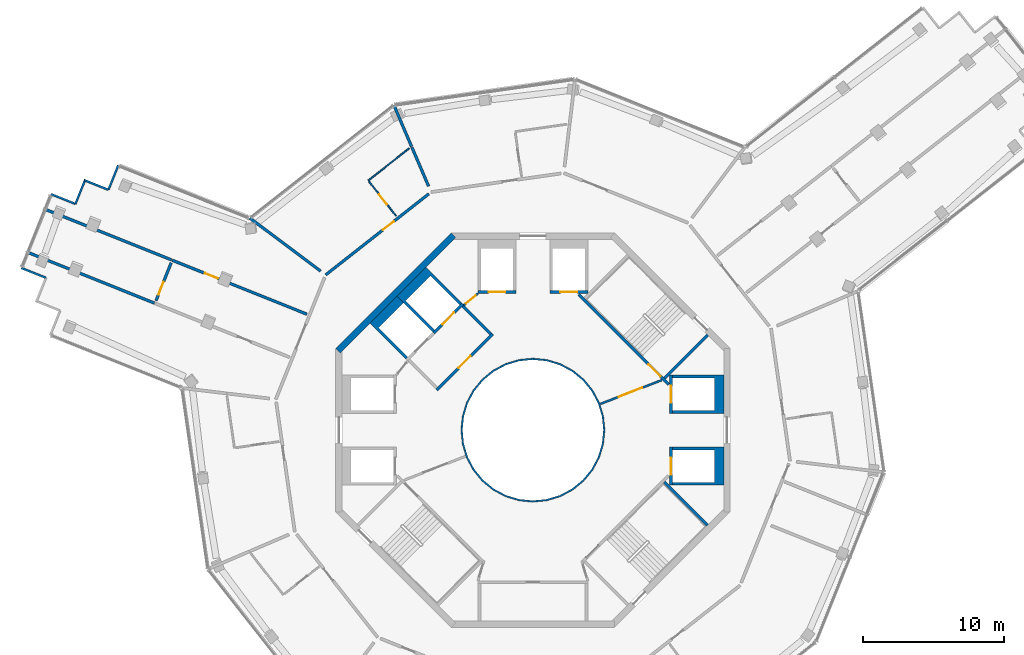
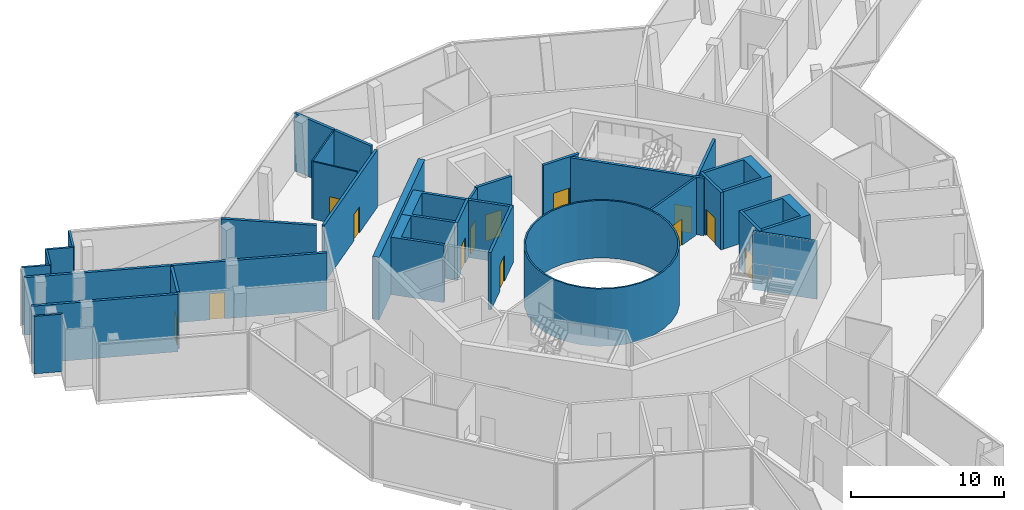
# One storey, part 12 of 19: 33 walls, 13 doors, 13 openings.
"""IFC4 building model written with IfcOpenShell, lengths in metres."""

from ifc_helpers import new_model, si_unit, direction, frame, frame_2d, origin, place, context, subcontext, project, spatial, polyline, rectangle, outline, extrude, material, layer, layer_set, type_object, element, fill, save


model = new_model("IFC4")

# Units and contexts
model_context = context("Model", 3, precision=1e-05, world=origin(), true_north=direction((0.0, 1.0)))
body_context = subcontext(model_context, "Body", "Model", "MODEL_VIEW")
ifc_project = project(units=[si_unit("LENGTHUNIT", "METRE"), si_unit("AREAUNIT", "SQUARE_METRE"), si_unit("VOLUMEUNIT", "CUBIC_METRE"), si_unit("PLANEANGLEUNIT", "RADIAN"), si_unit("MASSUNIT", "GRAM", prefix="KILO")], contexts=[model_context])

# Site, building, storey
site_placement = place(None, origin())
site = spatial("IfcSite", under=ifc_project, at=site_placement, CompositionType="ELEMENT")
building_placement = place(site_placement, origin())
building = spatial("IfcBuilding", under=site, at=building_placement, Name="Verdalira Terraces Hotel", CompositionType="ELEMENT")
storey_placement = place(building_placement, frame((0.0, 0.0, 310.0)))
storey = spatial("IfcBuildingStorey", under=building, at=storey_placement, Name="L77", CompositionType="ELEMENT", Elevation=310.0)

# Wall
ifc_material_1 = material(Name="Fire-resisting glass EI 180", Category="glass")
ifc_layer_1 = layer(ifc_material_1, 0.1201171875)
ifc_layer_set_1 = layer_set([ifc_layer_1], Name="Atrium fire screen 120 mm")
wall_type_1 = type_object("IfcWallType", Name="Atrium fire screen 120 mm", PredefinedType="SOLIDWALL", material=ifc_layer_set_1)
wall_1_placement = place(storey_placement, origin())
element("IfcWall", 1, at=wall_1_placement, inside=storey, type_object=wall_type_1, Name="Atrium fire screen", PredefinedType="SOLIDWALL", context=body_context, shape_type="SweptSolid", body=[
    extrude(outline(polyline([(5.021484, -0.998779), (4.730225, -1.959229), (4.25708, -2.844482), (3.620361, -3.620361), (2.844482, -4.25708), (1.959229, -4.730225), (0.998779, -5.021484), (0.0, -5.120117), (-0.998779, -5.021484), (-1.959229, -4.730225), (-2.844482, -4.25708), (-3.620361, -3.620361), (-4.25708, -2.844482), (-4.730225, -1.959229), (-5.021484, -0.998779), (-5.120117, 0.0), (-5.021484, 0.998779), (-4.730225, 1.959229), (-4.25708, 2.844482), (-3.620361, 3.620361), (-2.844482, 4.25708), (-1.959229, 4.730225), (-0.998779, 5.021484), (0.0, 5.120117), (0.998779, 5.021484), (1.959229, 4.730225), (2.844482, 4.25708), (3.620361, 3.620361), (4.25708, 2.844482), (4.730225, 1.959229), (5.021484, 0.998779), (5.120117, 0.0), (5.021484, -0.998779)]), holes=[polyline([(4.903809, 0.975586), (4.619385, 1.91333), (4.157227, 2.777832), (3.5354, 3.5354), (2.777832, 4.157227), (1.91333, 4.619385), (0.975586, 4.903809), (0.0, 5.0), (-0.975586, 4.903809), (-1.91333, 4.619385), (-2.777832, 4.157227), (-3.5354, 3.5354), (-4.157227, 2.777832), (-4.619385, 1.91333), (-4.903809, 0.975586), (-5.0, 0.0), (-4.903809, -0.975586), (-4.619385, -1.91333), (-4.157227, -2.777832), (-3.5354, -3.5354), (-2.777832, -4.157227), (-1.91333, -4.619385), (-0.975586, -4.903809), (0.0, -5.0), (0.975586, -4.903809), (1.91333, -4.619385), (2.777832, -4.157227), (3.5354, -3.5354), (4.157227, -2.777832), (4.619385, -1.91333), (4.903809, -0.975586), (5.0, 0.0), (4.903809, 0.975586)])]), origin(), (0.0, 0.0, 1.0), 4.600098),
])

# Wall, opening, door
ifc_material_2 = material(Name="Moisture-resistant gypsum board partition")
ifc_layer_2 = layer(ifc_material_2, 0.10009765625)
ifc_layer_set_2 = layer_set([ifc_layer_2], Name="Bathroom partition 100 mm")
wall_type_2 = type_object("IfcWallType", Name="Bathroom partition 100 mm", PredefinedType="PARTITIONING", material=ifc_layer_set_2)
wall_2_placement = place(storey_placement, frame((-11.628418, 17.644287, 0.0), z_axis=(0.0, 0.0, 1.0), x_axis=(0.617842421, -0.786301941, 0.0)))
wall_2 = element("IfcWall", 2, at=wall_2_placement, inside=storey, type_object=wall_type_2, Name="Bathroom partition", PredefinedType="PARTITIONING", context=body_context, shape_type="SweptSolid", body=[
    extrude(rectangle(XDim=3.099854, YDim=0.100098, at=frame_2d((1.549805, 0.0))), origin(), (0.0, 0.0, 1.0), 4.600098),
])
opening_1_placement = place(wall_2_placement, frame((1.149902, 0.0, 0.0)))
opening_1 = element("IfcOpeningElement", 3, at=opening_1_placement, cuts=wall_2, Name="Opening L77-126", PredefinedType="OPENING", context=body_context, shape_type="SweptSolid", body=[
    extrude(rectangle(XDim=0.899902, YDim=2.100098, at=frame_2d((0.449951, 1.050049))), frame((0.0, 0.060059, 0.0), z_axis=(0.0, -1.0, 0.0), x_axis=(1.0, 0.0, 0.0)), (0.0, 0.0, 1.0), 0.120117),
])
ifc_material_3 = material(Name="Timber door", Category="wood")
door_type_1 = type_object("IfcDoorType", Name="Bathroom door 900 x 2100", OperationType="NOTDEFINED", PredefinedType="DOOR", material=ifc_material_3)
door_1_placement = place(opening_1_placement, origin())
door_1 = element("IfcDoor", 4, at=door_1_placement, inside=storey, type_object=door_type_1, Name="Bathroom door 7711", OperationType="SINGLE_SWING_LEFT", OverallHeight=2.10009765625, OverallWidth=0.89990234375, PredefinedType="DOOR", context=body_context, shape_type="SweptSolid", body=[
    extrude(rectangle(XDim=0.899902, YDim=2.100098, at=frame_2d((0.449951, 1.050049))), frame((0.0, 0.024902, 0.0), z_axis=(0.0, -1.0, 0.0), x_axis=(1.0, 0.0, 0.0)), (0.0, 0.0, 1.0), 0.050049),
])
fill(opening_1, door_1)

# Walls
wall_3_placement = place(storey_placement, frame((-11.690186, 17.7229, 0.0), z_axis=(0.0, 0.0, 1.0), x_axis=(0.786279455, 0.617871038, 0.0)))
element("IfcWall", 5, at=wall_3_placement, inside=storey, type_object=wall_type_2, Name="Bathroom partition", PredefinedType="PARTITIONING", context=body_context, shape_type="SweptSolid", body=[
    extrude(rectangle(XDim=3.703857, YDim=0.100098, at=frame_2d((1.852051, 0.0))), origin(), (0.0, 0.0, 1.0), 4.600098),
])
ifc_material_4 = material(Name="Concrete C50", Category="concrete")
ifc_layer_3 = layer(ifc_material_4, 0.199951171875)
ifc_layer_set_3 = layer_set([ifc_layer_3], Name="Core RC wall 200 C50")
wall_type_3 = type_object("IfcWallType", Name="Core RC wall 200 C50", PredefinedType="SOLIDWALL", material=ifc_layer_set_3)
wall_4_placement = place(storey_placement, origin())
element("IfcWall", 6, at=wall_4_placement, inside=storey, type_object=wall_type_3, Name="L77 shaft wall E1", PredefinedType="SOLIDWALL", context=body_context, shape_type="SweptSolid", body=[
    extrude(outline(polyline([(13.550049, -3.899902), (9.899902, -3.899902), (9.899902, -3.699951), (12.899902, -3.699951), (12.899902, -1.399902), (9.899902, -1.399902), (9.899902, -1.199951), (13.550049, -1.199951), (13.550049, -3.899902)])), origin(), (0.0, 0.0, 1.0), 4.600098),
])

# Wall, opening, door
wall_5_placement = place(storey_placement, frame((9.800049, -1.199951, 0.0), z_axis=(0.0, 0.0, 1.0), x_axis=(0.0, -1.0, 0.0)))
wall_5 = element("IfcWall", 7, at=wall_5_placement, inside=storey, type_object=wall_type_3, Name="L77 shaft front wall E1", PredefinedType="SOLIDWALL", context=body_context, shape_type="SweptSolid", body=[
    extrude(rectangle(XDim=2.699951, YDim=0.199951, at=frame_2d((1.350098, 0.0))), origin(), (0.0, 0.0, 1.0), 4.600098),
])
opening_2_placement = place(wall_5_placement, frame((0.75, 0.0, 0.0)))
opening_2 = element("IfcOpeningElement", 8, at=opening_2_placement, cuts=wall_5, Name="Opening LD-L77-802", PredefinedType="OPENING", context=body_context, shape_type="SweptSolid", body=[
    extrude(rectangle(XDim=1.199951, YDim=2.100098, at=frame_2d((0.600098, 1.050049))), frame((0.0, 0.109863, 0.0), z_axis=(0.0, -1.0, 0.0), x_axis=(1.0, 0.0, 0.0)), (0.0, 0.0, 1.0), 0.219971),
])
ifc_material_5 = material(Name="Stainless steel", Category="steel")
door_type_2 = type_object("IfcDoorType", Name="Landing door 1200 x 2100", OperationType="NOTDEFINED", PredefinedType="DOOR", material=ifc_material_5)
door_2_placement = place(opening_2_placement, origin())
door_2 = element("IfcDoor", 9, at=door_2_placement, inside=storey, type_object=door_type_2, Name="Lift landing door HR1 L77", OperationType="DOUBLE_DOOR_SLIDING", OverallHeight=2.10009765625, OverallWidth=1.199951171875, PredefinedType="DOOR", context=body_context, shape_type="SweptSolid", body=[
    extrude(rectangle(XDim=1.199951, YDim=2.100098, at=frame_2d((0.600098, 1.050049))), frame((0.0, 0.024902, 0.0), z_axis=(0.0, -1.0, 0.0), x_axis=(1.0, 0.0, 0.0)), (0.0, 0.0, 1.0), 0.050049),
])
fill(opening_2, door_2)

# Wall
wall_6_placement = place(storey_placement, origin())
element("IfcWall", 10, at=wall_6_placement, inside=storey, type_object=wall_type_3, Name="L77 shaft wall E2", PredefinedType="SOLIDWALL", context=body_context, shape_type="SweptSolid", body=[
    extrude(outline(polyline([(13.550049, 3.899902), (13.550049, 1.199951), (9.899902, 1.199951), (9.899902, 1.399902), (12.899902, 1.399902), (12.899902, 3.699951), (9.899902, 3.699951), (9.899902, 3.899902), (13.550049, 3.899902)])), origin(), (0.0, 0.0, 1.0), 4.600098),
])

# Wall, opening, door
wall_7_placement = place(storey_placement, frame((9.800049, 1.199951, 0.0), z_axis=(0.0, 0.0, 1.0), x_axis=(0.0, 1.0, 0.0)))
wall_7 = element("IfcWall", 11, at=wall_7_placement, inside=storey, type_object=wall_type_3, Name="L77 shaft front wall E2", PredefinedType="SOLIDWALL", context=body_context, shape_type="SweptSolid", body=[
    extrude(rectangle(XDim=2.699951, YDim=0.199951, at=frame_2d((1.350098, 0.0))), origin(), (0.0, 0.0, 1.0), 4.600098),
])
opening_3_placement = place(wall_7_placement, frame((0.75, 0.0, 0.0)))
opening_3 = element("IfcOpeningElement", 12, at=opening_3_placement, cuts=wall_7, Name="Opening LD-L77-803", PredefinedType="OPENING", context=body_context, shape_type="SweptSolid", body=[
    extrude(rectangle(XDim=1.199951, YDim=2.100098, at=frame_2d((0.600098, 1.050049))), frame((0.0, 0.109863, 0.0), z_axis=(0.0, -1.0, 0.0), x_axis=(1.0, 0.0, 0.0)), (0.0, 0.0, 1.0), 0.219971),
])
door_3_placement = place(opening_3_placement, origin())
door_3 = element("IfcDoor", 13, at=door_3_placement, inside=storey, type_object=door_type_2, Name="Lift landing door HR2 L77", OperationType="DOUBLE_DOOR_SLIDING", OverallHeight=2.10009765625, OverallWidth=1.199951171875, PredefinedType="DOOR", context=body_context, shape_type="SweptSolid", body=[
    extrude(rectangle(XDim=1.199951, YDim=2.100098, at=frame_2d((0.600098, 1.050049))), frame((0.0, 0.024902, 0.0), z_axis=(0.0, -1.0, 0.0), x_axis=(1.0, 0.0, 0.0)), (0.0, 0.0, 1.0), 0.050049),
])
fill(opening_3, door_3)

wall_8_placement = place(storey_placement, frame((1.199951, 9.800049, 0.0), z_axis=(0.0, 0.0, 1.0), x_axis=(1.0, 0.0, 0.0)))
wall_8 = element("IfcWall", 14, at=wall_8_placement, inside=storey, type_object=wall_type_3, Name="L77 shaft front wall N1", PredefinedType="SOLIDWALL", context=body_context, shape_type="SweptSolid", body=[
    extrude(rectangle(XDim=2.699951, YDim=0.199951, at=frame_2d((1.350098, 0.0))), origin(), (0.0, 0.0, 1.0), 4.600098),
])
opening_4_placement = place(wall_8_placement, frame((0.75, 0.0, 0.0)))
opening_4 = element("IfcOpeningElement", 15, at=opening_4_placement, cuts=wall_8, Name="Opening LD-L77-804", PredefinedType="OPENING", context=body_context, shape_type="SweptSolid", body=[
    extrude(rectangle(XDim=1.199951, YDim=2.100098, at=frame_2d((0.600098, 1.050049))), frame((0.0, 0.109863, 0.0), z_axis=(0.0, -1.0, 0.0), x_axis=(1.0, 0.0, 0.0)), (0.0, 0.0, 1.0), 0.219971),
])
door_4_placement = place(opening_4_placement, origin())
door_4 = element("IfcDoor", 16, at=door_4_placement, inside=storey, type_object=door_type_2, Name="Lift landing door HR3 L77", OperationType="DOUBLE_DOOR_SLIDING", OverallHeight=2.10009765625, OverallWidth=1.199951171875, PredefinedType="DOOR", context=body_context, shape_type="SweptSolid", body=[
    extrude(rectangle(XDim=1.199951, YDim=2.100098, at=frame_2d((0.600098, 1.050049))), frame((0.0, 0.024902, 0.0), z_axis=(0.0, -1.0, 0.0), x_axis=(1.0, 0.0, 0.0)), (0.0, 0.0, 1.0), 0.050049),
])
fill(opening_4, door_4)

wall_9_placement = place(storey_placement, frame((-1.199951, 9.800049, 0.0), z_axis=(0.0, 0.0, 1.0), x_axis=(-1.0, 0.0, 0.0)))
wall_9 = element("IfcWall", 17, at=wall_9_placement, inside=storey, type_object=wall_type_3, Name="L77 shaft front wall N2", PredefinedType="SOLIDWALL", context=body_context, shape_type="SweptSolid", body=[
    extrude(rectangle(XDim=2.699951, YDim=0.199951, at=frame_2d((1.350098, 0.0))), origin(), (0.0, 0.0, 1.0), 4.600098),
])
opening_5_placement = place(wall_9_placement, frame((0.75, 0.0, 0.0)))
opening_5 = element("IfcOpeningElement", 18, at=opening_5_placement, cuts=wall_9, Name="Opening LD-L77-805", PredefinedType="OPENING", context=body_context, shape_type="SweptSolid", body=[
    extrude(rectangle(XDim=1.199951, YDim=2.100098, at=frame_2d((0.600098, 1.050049))), frame((0.0, 0.109863, 0.0), z_axis=(0.0, -1.0, 0.0), x_axis=(1.0, 0.0, 0.0)), (0.0, 0.0, 1.0), 0.219971),
])
door_5_placement = place(opening_5_placement, origin())
door_5 = element("IfcDoor", 19, at=door_5_placement, inside=storey, type_object=door_type_2, Name="Lift landing door HR4 L77", OperationType="DOUBLE_DOOR_SLIDING", OverallHeight=2.10009765625, OverallWidth=1.199951171875, PredefinedType="DOOR", context=body_context, shape_type="SweptSolid", body=[
    extrude(rectangle(XDim=1.199951, YDim=2.100098, at=frame_2d((0.600098, 1.050049))), frame((0.0, 0.024902, 0.0), z_axis=(0.0, -1.0, 0.0), x_axis=(1.0, 0.0, 0.0)), (0.0, 0.0, 1.0), 0.050049),
])
fill(opening_5, door_5)

# Wall
wall_10_placement = place(storey_placement, origin())
element("IfcWall", 20, at=wall_10_placement, inside=storey, type_object=wall_type_3, Name="L77 shaft wall F1", PredefinedType="SOLIDWALL", context=body_context, shape_type="SweptSolid", body=[
    extrude(outline(polyline([(-9.6521, 9.510498), (-7.601318, 11.561279), (-5.055908, 9.015625), (-5.197266, 8.874268), (-7.283203, 10.960205), (-9.051025, 9.192383), (-6.965088, 7.106445), (-7.106445, 6.965088), (-9.6521, 9.510498)])), origin(), (0.0, 0.0, 1.0), 4.600098),
])

# Wall, opening, door
wall_11_placement = place(storey_placement, frame((-4.985107, 8.944824, 0.0), z_axis=(0.0, 0.0, 1.0), x_axis=(-0.707106781, -0.707106781, 0.0)))
wall_11 = element("IfcWall", 21, at=wall_11_placement, inside=storey, type_object=wall_type_3, Name="L77 shaft front wall F1", PredefinedType="SOLIDWALL", context=body_context, shape_type="SweptSolid", body=[
    extrude(rectangle(XDim=2.899902, YDim=0.199951, at=frame_2d((1.449951, 0.0))), origin(), (0.0, 0.0, 1.0), 4.600098),
])
opening_6_placement = place(wall_11_placement, frame((0.850098, 0.0, 0.0)))
opening_6 = element("IfcOpeningElement", 22, at=opening_6_placement, cuts=wall_11, Name="Opening LD-L77-808", PredefinedType="OPENING", context=body_context, shape_type="SweptSolid", body=[
    extrude(rectangle(XDim=1.199951, YDim=2.100098, at=frame_2d((0.600098, 1.050049))), frame((0.0, 0.109863, 0.0), z_axis=(0.0, -1.0, 0.0), x_axis=(1.0, 0.0, 0.0)), (0.0, 0.0, 1.0), 0.219971),
])
door_6_placement = place(opening_6_placement, origin())
door_6 = element("IfcDoor", 23, at=door_6_placement, inside=storey, type_object=door_type_2, Name="Lift landing door LF11 L77", OperationType="DOUBLE_DOOR_SLIDING", OverallHeight=2.10009765625, OverallWidth=1.199951171875, PredefinedType="DOOR", context=body_context, shape_type="SweptSolid", body=[
    extrude(rectangle(XDim=1.199951, YDim=2.100098, at=frame_2d((0.600098, 1.050049))), frame((0.0, 0.024902, 0.0), z_axis=(0.0, -1.0, 0.0), x_axis=(1.0, 0.0, 0.0)), (0.0, 0.0, 1.0), 0.050049),
])
fill(opening_6, door_6)

# Wall
wall_12_placement = place(storey_placement, origin())
element("IfcWall", 24, at=wall_12_placement, inside=storey, type_object=wall_type_3, Name="L77 shaft wall F2", PredefinedType="SOLIDWALL", context=body_context, shape_type="SweptSolid", body=[
    extrude(outline(polyline([(-11.561279, 7.601318), (-9.6521, 9.510498), (-9.192383, 9.051025), (-10.960205, 7.283203), (-8.874268, 5.197266), (-9.015625, 5.055908), (-11.561279, 7.601318)])), origin(), (0.0, 0.0, 1.0), 4.600098),
])

# Wall, opening, door
wall_13_placement = place(storey_placement, frame((3.23999, 9.629395, 0.0), z_axis=(0.0, 0.0, 1.0), x_axis=(0.707106781, -0.707106781, 0.0)))
wall_13 = element("IfcWall", 25, at=wall_13_placement, inside=storey, type_object=wall_type_3, Name="L77 stair ST1 front wall", PredefinedType="SOLIDWALL", context=body_context, shape_type="SweptSolid", body=[
    extrude(rectangle(XDim=9.035889, YDim=0.199951, at=frame_2d((4.518066, 0.0))), origin(), (0.0, 0.0, 1.0), 4.600098),
])
opening_7_placement = place(wall_13_placement, frame((7.017822, 0.0, 0.0)))
opening_7 = element("IfcOpeningElement", 26, at=opening_7_placement, cuts=wall_13, Name="Opening L77-810", PredefinedType="OPENING", context=body_context, shape_type="SweptSolid", body=[
    extrude(rectangle(XDim=1.199951, YDim=2.100098, at=frame_2d((0.600098, 1.050049))), frame((0.0, 0.109863, 0.0), z_axis=(0.0, -1.0, 0.0), x_axis=(1.0, 0.0, 0.0)), (0.0, 0.0, 1.0), 0.219971),
])
ifc_material_6 = material(Name="Steel fire door", Category="steel")
door_type_3 = type_object("IfcDoorType", Name="Stair door 1200 x 2100", OperationType="NOTDEFINED", PredefinedType="DOOR", material=ifc_material_6)
door_7_placement = place(opening_7_placement, origin())
door_7 = element("IfcDoor", 27, at=door_7_placement, inside=storey, type_object=door_type_3, Name="Stair door ST1 L77", OperationType="SINGLE_SWING_RIGHT", OverallHeight=2.10009765625, OverallWidth=1.199951171875, PredefinedType="DOOR", context=body_context, shape_type="SweptSolid", body=[
    extrude(rectangle(XDim=1.199951, YDim=2.100098, at=frame_2d((0.600098, 1.050049))), frame((0.0, 0.024902, 0.0), z_axis=(0.0, -1.0, 0.0), x_axis=(1.0, 0.0, 0.0)), (0.0, 0.0, 1.0), 0.050049),
])
fill(opening_7, door_7)

# Walls
for number, where, z_axis, x_axis, name in (
    (28, (9.33374, 3.677002, 0.0), (0.0, 0.0, 1.0), (0.707106781, 0.707106781, 0.0), "L77 stair ST1 end wall 1"),
    (29, (9.33374, -3.677002, 0.0), (0.0, 0.0, 1.0), (0.707106781, -0.707106781, 0.0), "L77 stair ST3 end wall 2"),
):
    element("IfcWall", number, at=place(storey_placement, frame(where, z_axis=z_axis, x_axis=x_axis)), inside=storey, type_object=wall_type_3, Name=name, PredefinedType="SOLIDWALL", context=body_context, shape_type="SweptSolid", body=[
        extrude(rectangle(XDim=4.350098, YDim=0.199951, at=frame_2d((2.175049, 0.0))), origin(), (0.0, 0.0, 1.0), 4.600098),
    ])

# Wall, opening, door
wall_14_placement = place(storey_placement, frame((-2.86377, 6.823486, 0.0), z_axis=(0.0, 0.0, 1.0), x_axis=(-0.707106781, -0.707106781, 0.0)))
wall_14 = element("IfcWall", 30, at=wall_14_placement, inside=storey, type_object=wall_type_3, Name="L77 fire lobby wall", PredefinedType="SOLIDWALL", context=body_context, shape_type="SweptSolid", body=[
    extrude(rectangle(XDim=5.599854, YDim=0.199951, at=frame_2d((2.799805, 0.0))), origin(), (0.0, 0.0, 1.0), 4.600098),
])
opening_8_placement = place(wall_14_placement, frame((2.199951, 0.0, 0.0)))
opening_8 = element("IfcOpeningElement", 31, at=opening_8_placement, cuts=wall_14, Name="Opening L77-819", PredefinedType="OPENING", context=body_context, shape_type="SweptSolid", body=[
    extrude(rectangle(XDim=1.199951, YDim=2.100098, at=frame_2d((0.600098, 1.050049))), frame((0.0, 0.109863, 0.0), z_axis=(0.0, -1.0, 0.0), x_axis=(1.0, 0.0, 0.0)), (0.0, 0.0, 1.0), 0.219971),
])
ifc_material_7 = material(Name="Steel fire door", Category="steel")
door_type_4 = type_object("IfcDoorType", Name="Lobby door 1200 x 2100", OperationType="NOTDEFINED", PredefinedType="DOOR", material=ifc_material_7)
door_8_placement = place(opening_8_placement, origin())
door_8 = element("IfcDoor", 32, at=door_8_placement, inside=storey, type_object=door_type_4, Name="Fire lobby door L77", OperationType="SINGLE_SWING_LEFT", OverallHeight=2.10009765625, OverallWidth=1.199951171875, PredefinedType="DOOR", context=body_context, shape_type="SweptSolid", body=[
    extrude(rectangle(XDim=1.199951, YDim=2.100098, at=frame_2d((0.600098, 1.050049))), frame((0.0, 0.024902, 0.0), z_axis=(0.0, -1.0, 0.0), x_axis=(1.0, 0.0, 0.0)), (0.0, 0.0, 1.0), 0.050049),
])
fill(opening_8, door_8)

# Wall
wall_15_placement = place(storey_placement, frame((-3.005127, 6.823486, 0.0), z_axis=(0.0, 0.0, 1.0), x_axis=(-0.707106781, 0.707106781, 0.0)))
element("IfcWall", 33, at=wall_15_placement, inside=storey, type_object=wall_type_3, Name="L77 fire lobby wall", PredefinedType="SOLIDWALL", context=body_context, shape_type="SweptSolid", body=[
    extrude(rectangle(XDim=2.800049, YDim=0.199951, at=frame_2d((1.399902, 0.0))), origin(), (0.0, 0.0, 1.0), 4.600098),
])

# Wall, opening, door
ifc_material_8 = material(Name="Gypsum board partition")
ifc_layer_4 = layer(ifc_material_8, 0.14990234375)
ifc_layer_set_4 = layer_set([ifc_layer_4], Name="Core partition 150 mm")
wall_type_4 = type_object("IfcWallType", Name="Core partition 150 mm", PredefinedType="PARTITIONING", material=ifc_layer_set_4)
wall_16_placement = place(storey_placement, frame((-3.899902, 9.699951, 0.0), z_axis=(0.0, 0.0, 1.0), x_axis=(-0.775559878, -0.631274009, 0.0)))
wall_16 = element("IfcWall", 34, at=wall_16_placement, inside=storey, type_object=wall_type_4, Name="Room partition L77", PredefinedType="PARTITIONING", context=body_context, shape_type="SweptSolid", body=[
    extrude(rectangle(XDim=1.307861, YDim=0.149902, at=frame_2d((0.653809, 0.0))), origin(), (0.0, 0.0, 1.0), 4.600098),
])
opening_9_placement = place(wall_16_placement, frame((0.204102, 0.0, 0.0)))
opening_9 = element("IfcOpeningElement", 35, at=opening_9_placement, cuts=wall_16, Name="Opening L77-820", PredefinedType="OPENING", context=body_context, shape_type="SweptSolid", body=[
    extrude(rectangle(XDim=0.899902, YDim=2.100098, at=frame_2d((0.449951, 1.050049))), frame((0.0, 0.084961, 0.0), z_axis=(0.0, -1.0, 0.0), x_axis=(1.0, 0.0, 0.0)), (0.0, 0.0, 1.0), 0.169922),
])
ifc_material_9 = material(Name="Steel fire door", Category="steel")
door_type_5 = type_object("IfcDoorType", Name="Core room door 900 x 2100", OperationType="NOTDEFINED", PredefinedType="DOOR", material=ifc_material_9)
door_9_placement = place(opening_9_placement, origin())
door_9 = element("IfcDoor", 36, at=door_9_placement, inside=storey, type_object=door_type_5, Name="Door L77 room2", OperationType="SINGLE_SWING_LEFT", OverallHeight=2.10009765625, OverallWidth=0.89990234375, PredefinedType="DOOR", context=body_context, shape_type="SweptSolid", body=[
    extrude(rectangle(XDim=0.899902, YDim=2.100098, at=frame_2d((0.449951, 1.050049))), frame((0.0, 0.024902, 0.0), z_axis=(0.0, -1.0, 0.0), x_axis=(1.0, 0.0, 0.0)), (0.0, 0.0, 1.0), 0.050049),
])
fill(opening_9, door_9)

wall_17_placement = place(storey_placement, frame((4.781982, 1.857178, 0.0), z_axis=(0.0, 0.0, 1.0), x_axis=(0.932167228, 0.36202798, 0.0)))
wall_17 = element("IfcWall", 37, at=wall_17_placement, inside=storey, type_object=wall_type_4, Name="Gallery fire partition L77", PredefinedType="PARTITIONING", context=body_context, shape_type="SweptSolid", body=[
    extrude(rectangle(XDim=4.676025, YDim=0.149902, at=frame_2d((2.337891, 0.0))), origin(), (0.0, 0.0, 1.0), 4.600098),
])
opening_10_placement = place(wall_17_placement, frame((1.399902, 0.0, 0.0)))
opening_10 = element("IfcOpeningElement", 38, at=opening_10_placement, cuts=wall_17, Name="Opening L77-824", PredefinedType="OPENING", context=body_context, shape_type="SweptSolid", body=[
    extrude(rectangle(XDim=1.800049, YDim=2.100098, at=frame_2d((0.899902, 1.050049))), frame((0.0, 0.084961, 0.0), z_axis=(0.0, -1.0, 0.0), x_axis=(1.0, 0.0, 0.0)), (0.0, 0.0, 1.0), 0.169922),
])
ifc_material_10 = material(Name="Steel fire door", Category="steel")
door_type_6 = type_object("IfcDoorType", Name="Gallery fire door pair 1800 x 2100", OperationType="NOTDEFINED", PredefinedType="DOOR", material=ifc_material_10)
door_10_placement = place(opening_10_placement, origin())
door_10 = element("IfcDoor", 39, at=door_10_placement, inside=storey, type_object=door_type_6, Name="Door L77 split0", OperationType="DOUBLE_DOOR_SINGLE_SWING", OverallHeight=2.10009765625, OverallWidth=1.800048828125, PredefinedType="DOOR", context=body_context, shape_type="SweptSolid", body=[
    extrude(rectangle(XDim=1.800049, YDim=2.100098, at=frame_2d((0.899902, 1.050049))), frame((0.0, 0.024902, 0.0), z_axis=(0.0, -1.0, 0.0), x_axis=(1.0, 0.0, 0.0)), (0.0, 0.0, 1.0), 0.050049),
])
fill(opening_10, door_10)

# Walls
ifc_material_11 = material(Name="Concrete C50", Category="concrete")
ifc_layer_5 = layer(ifc_material_11, 0.449951171875)
ifc_layer_set_5 = layer_set([ifc_layer_5], Name="Core wall 450 C50")
wall_type_5 = type_object("IfcWallType", Name="Core wall 450 C50", PredefinedType="SHEAR", material=ifc_layer_set_5)
wall_18_placement = place(storey_placement, frame((-5.639893, 13.84082, 0.0), z_axis=(0.0, 0.0, 1.0), x_axis=(-0.707106781, -0.707106781, 0.0)))
element("IfcWall", 40, at=wall_18_placement, inside=storey, type_object=wall_type_5, Name="Core wall CW-L77-4", PredefinedType="SHEAR", context=body_context, shape_type="SweptSolid", body=[
    extrude(rectangle(XDim=11.5979, YDim=0.449951, at=frame_2d((5.798828, 0.0))), origin(), (0.0, 0.0, 1.0), 5.0),
])
ifc_material_12 = material(Name="Fire-rated gypsum board wall")
ifc_layer_6 = layer(ifc_material_12, 0.199951171875)
ifc_layer_set_6 = layer_set([ifc_layer_6], Name="Demising wall 200 mm")
wall_type_6 = type_object("IfcWallType", Name="Demising wall 200 mm", PredefinedType="SOLIDWALL", material=ifc_layer_set_6)
wall_19_placement = place(storey_placement, frame((-35.877441, 12.627441, 0.0), z_axis=(0.0, 0.0, 1.0), x_axis=(0.928224619, -0.372020237, 0.0)))
element("IfcWall", 41, at=wall_19_placement, inside=storey, type_object=wall_type_6, Name="Demising wall", PredefinedType="SOLIDWALL", context=body_context, shape_type="SweptSolid", body=[
    extrude(rectangle(XDim=9.693604, YDim=0.199951, at=frame_2d((4.84668, 0.0))), origin(), (0.0, 0.0, 1.0), 4.600098),
])
wall_20_placement = place(storey_placement, frame((-25.652588, 12.082275, 0.0), z_axis=(0.0, 0.0, 1.0), x_axis=(-0.928228104, 0.37201154, 0.0)))
element("IfcWall", 42, at=wall_20_placement, inside=storey, type_object=wall_type_6, Name="Demising wall", PredefinedType="SOLIDWALL", context=body_context, shape_type="SweptSolid", body=[
    extrude(rectangle(XDim=9.693848, YDim=0.199951, at=frame_2d((4.846924, 0.0))), origin(), (0.0, 0.0, 1.0), 4.600098),
])

# Wall, opening, door
wall_21_placement = place(storey_placement, frame((-26.760498, 9.188965, 0.0), z_axis=(0.0, 0.0, 1.0), x_axis=(0.371986196, 0.928238261, 0.0)))
wall_21 = element("IfcWall", 43, at=wall_21_placement, inside=storey, type_object=wall_type_6, Name="Demising wall", PredefinedType="SOLIDWALL", context=body_context, shape_type="SweptSolid", body=[
    extrude(rectangle(XDim=2.897705, YDim=0.199951, at=frame_2d((1.44873, 0.0))), origin(), (0.0, 0.0, 1.0), 4.600098),
])
opening_11_placement = place(wall_21_placement, frame((0.449951, 0.0, 0.0)))
opening_11 = element("IfcOpeningElement", 44, at=opening_11_placement, cuts=wall_21, Name="Opening L77-104", PredefinedType="OPENING", context=body_context, shape_type="SweptSolid", body=[
    extrude(rectangle(XDim=1.0, YDim=2.100098, at=frame_2d((0.5, 1.050049))), frame((0.0, 0.109863, 0.0), z_axis=(0.0, -1.0, 0.0), x_axis=(1.0, 0.0, 0.0)), (0.0, 0.0, 1.0), 0.219971),
])
ifc_material_13 = material(Name="Timber fire door", Category="wood")
door_type_7 = type_object("IfcDoorType", Name="Public room door 1000 x 2100", OperationType="NOTDEFINED", PredefinedType="DOOR", material=ifc_material_13)
door_11_placement = place(opening_11_placement, origin())
door_11 = element("IfcDoor", 45, at=door_11_placement, inside=storey, type_object=door_type_7, Name="Public room door 7701", OperationType="SINGLE_SWING_LEFT", OverallHeight=2.10009765625, OverallWidth=1.0, PredefinedType="DOOR", context=body_context, shape_type="SweptSolid", body=[
    extrude(rectangle(XDim=1.0, YDim=2.100098, at=frame_2d((0.5, 1.050049))), frame((0.0, 0.024902, 0.0), z_axis=(0.0, -1.0, 0.0), x_axis=(1.0, 0.0, 0.0)), (0.0, 0.0, 1.0), 0.050049),
])
fill(opening_11, door_11)

wall_22_placement = place(storey_placement, frame((-25.610107, 12.065186, 0.0), z_axis=(0.0, 0.0, 1.0), x_axis=(0.928224783, -0.372019828, 0.0)))
wall_22 = element("IfcWall", 46, at=wall_22_placement, inside=storey, type_object=wall_type_6, Name="Demising wall", PredefinedType="SOLIDWALL", context=body_context, shape_type="SweptSolid", body=[
    extrude(rectangle(XDim=10.302002, YDim=0.199951, at=frame_2d((5.150879, 0.0))), origin(), (0.0, 0.0, 1.0), 4.600098),
])
opening_12_placement = place(wall_22_placement, frame((2.5, 0.0, 0.0)))
opening_12 = element("IfcOpeningElement", 47, at=opening_12_placement, cuts=wall_22, Name="Opening L77-102", PredefinedType="OPENING", context=body_context, shape_type="SweptSolid", body=[
    extrude(rectangle(XDim=1.0, YDim=2.100098, at=frame_2d((0.5, 1.050049))), frame((0.0, 0.109863, 0.0), z_axis=(0.0, -1.0, 0.0), x_axis=(1.0, 0.0, 0.0)), (0.0, 0.0, 1.0), 0.219971),
])
door_12_placement = place(opening_12_placement, origin())
door_12 = element("IfcDoor", 48, at=door_12_placement, inside=storey, type_object=door_type_7, Name="Public room door 7701", OperationType="SINGLE_SWING_LEFT", OverallHeight=2.10009765625, OverallWidth=1.0, PredefinedType="DOOR", context=body_context, shape_type="SweptSolid", body=[
    extrude(rectangle(XDim=1.0, YDim=2.100098, at=frame_2d((0.5, 1.050049))), frame((0.0, 0.024902, 0.0), z_axis=(0.0, -1.0, 0.0), x_axis=(1.0, 0.0, 0.0)), (0.0, 0.0, 1.0), 0.050049),
])
fill(opening_12, door_12)

# Walls
wall_23_placement = place(storey_placement, frame((-20.099121, 15.058105, 0.0), z_axis=(0.0, 0.0, 1.0), x_axis=(0.800293704, -0.599608195, 0.0)))
element("IfcWall", 49, at=wall_23_placement, inside=storey, type_object=wall_type_6, Name="Demising wall", PredefinedType="SOLIDWALL", context=body_context, shape_type="SweptSolid", body=[
    extrude(rectangle(XDim=6.282227, YDim=0.199951, at=frame_2d((3.141113, 0.0))), origin(), (0.0, 0.0, 1.0), 4.600098),
])
wall_24_placement = place(storey_placement, frame((-8.614258, 20.137451, 0.0), z_axis=(0.0, 0.0, 1.0), x_axis=(-0.39326776, 0.919423988, 0.0)))
element("IfcWall", 50, at=wall_24_placement, inside=storey, type_object=wall_type_6, Name="Demising wall", PredefinedType="SOLIDWALL", context=body_context, shape_type="SweptSolid", body=[
    extrude(rectangle(XDim=3.211426, YDim=0.199951, at=frame_2d((1.605713, 0.0))), origin(), (0.0, 0.0, 1.0), 4.600098),
])
wall_25_placement = place(storey_placement, frame((-7.406494, 17.314453, 0.0), z_axis=(0.0, 0.0, 1.0), x_axis=(-0.393344446, 0.919391183, 0.0)))
element("IfcWall", 51, at=wall_25_placement, inside=storey, type_object=wall_type_6, Name="Demising wall", PredefinedType="SOLIDWALL", context=body_context, shape_type="SweptSolid", body=[
    extrude(rectangle(XDim=3.024658, YDim=0.199951, at=frame_2d((1.512207, 0.0))), origin(), (0.0, 0.0, 1.0), 4.600098),
])

# Wall, opening, door
ifc_material_14 = material(Name="Fire-rated gypsum board wall")
ifc_layer_7 = layer(ifc_material_14, 0.199951171875)
ifc_layer_set_7 = layer_set([ifc_layer_7], Name="Guest corridor wall 200 mm")
wall_type_7 = type_object("IfcWallType", Name="Guest corridor wall 200 mm", PredefinedType="SOLIDWALL", material=ifc_layer_set_7)
wall_26_placement = place(storey_placement, frame((-14.713379, 11.023193, 0.0), z_axis=(0.0, 0.0, 1.0), x_axis=(0.786284693, 0.617864372, 0.0)))
wall_26 = element("IfcWall", 52, at=wall_26_placement, inside=storey, type_object=wall_type_7, Name="Guest corridor wall", PredefinedType="SOLIDWALL", context=body_context, shape_type="SweptSolid", body=[
    extrude(rectangle(XDim=9.316406, YDim=0.199951, at=frame_2d((4.658203, 0.0))), origin(), (0.0, 0.0, 1.0), 4.600098),
])
opening_13_placement = place(wall_26_placement, frame((5.149902, 0.0, 0.0)))
opening_13 = element("IfcOpeningElement", 53, at=opening_13_placement, cuts=wall_26, Name="Opening L77-125", PredefinedType="OPENING", context=body_context, shape_type="SweptSolid", body=[
    extrude(rectangle(XDim=1.0, YDim=2.100098, at=frame_2d((0.5, 1.050049))), frame((0.0, 0.109863, 0.0), z_axis=(0.0, -1.0, 0.0), x_axis=(1.0, 0.0, 0.0)), (0.0, 0.0, 1.0), 0.219971),
])
ifc_material_15 = material(Name="Timber fire door", Category="wood")
door_type_8 = type_object("IfcDoorType", Name="Guest entry door 1000 x 2100", OperationType="NOTDEFINED", PredefinedType="DOOR", material=ifc_material_15)
door_13_placement = place(opening_13_placement, origin())
door_13 = element("IfcDoor", 54, at=door_13_placement, inside=storey, type_object=door_type_8, Name="Guest entry door 7711", OperationType="SINGLE_SWING_LEFT", OverallHeight=2.10009765625, OverallWidth=1.0, PredefinedType="DOOR", context=body_context, shape_type="SweptSolid", body=[
    extrude(rectangle(XDim=1.0, YDim=2.100098, at=frame_2d((0.5, 1.050049))), frame((0.0, 0.024902, 0.0), z_axis=(0.0, -1.0, 0.0), x_axis=(1.0, 0.0, 0.0)), (0.0, 0.0, 1.0), 0.050049),
])
fill(opening_13, door_13)

# Walls
ifc_material_16 = material(Name="Terracotta cladding", Category="masonry")
ifc_layer_8 = layer(ifc_material_16, 0.14990234375)
ifc_layer_set_8 = layer_set([ifc_layer_8], Name="Terracotta clad wall 150")
wall_type_8 = type_object("IfcWallType", Name="Terracotta clad wall 150", PredefinedType="SOLIDWALL", material=ifc_layer_set_8)
wall_27_placement = place(storey_placement, frame((-29.443359, 18.802979, 0.0), z_axis=(0.0, 0.0, 1.0), x_axis=(-0.371996726, -0.928234042, 0.0)))
element("IfcWall", 55, at=wall_27_placement, inside=storey, type_object=wall_type_8, Name="Terracotta cladding wall", PredefinedType="SOLIDWALL", context=body_context, shape_type="SweptSolid", body=[
    extrude(rectangle(XDim=1.875, YDim=0.149902, at=frame_2d((0.9375, 0.0))), origin(), (0.0, 0.0, 1.0), 4.600098),
])
wall_28_placement = place(storey_placement, frame((-30.140869, 17.0625, 0.0), z_axis=(0.0, 0.0, 1.0), x_axis=(-0.928205157, 0.372068792, 0.0)))
element("IfcWall", 56, at=wall_28_placement, inside=storey, type_object=wall_type_8, Name="Terracotta cladding wall", PredefinedType="SOLIDWALL", context=body_context, shape_type="SweptSolid", body=[
    extrude(rectangle(XDim=1.799805, YDim=0.149902, at=frame_2d((0.899902, 0.0))), origin(), (0.0, 0.0, 1.0), 4.600098),
])
for number, where, z_axis, x_axis, name in (
    (57, (-31.783691, 17.801758, 0.0), (0.0, 0.0, 1.0), (-0.371996726, -0.928234042, 0.0), "Terracotta cladding wall"),
    (58, (-32.481201, 16.061279, 0.0), (0.0, 0.0, 1.0), (-0.928234042, 0.371996726, 0.0), "Terracotta cladding wall"),
    (59, (-36.323486, 11.514404, 0.0), (0.0, 0.0, 1.0), (0.928234042, -0.371996726, 0.0), "Terracotta cladding wall"),
):
    element("IfcWall", number, at=place(storey_placement, frame(where, z_axis=z_axis, x_axis=x_axis)), inside=storey, type_object=wall_type_8, Name=name, PredefinedType="SOLIDWALL", context=body_context, shape_type="SweptSolid", body=[
        extrude(rectangle(XDim=1.875, YDim=0.149902, at=frame_2d((0.9375, 0.0))), origin(), (0.0, 0.0, 1.0), 4.600098),
    ])

save(model, "model.ifc")
